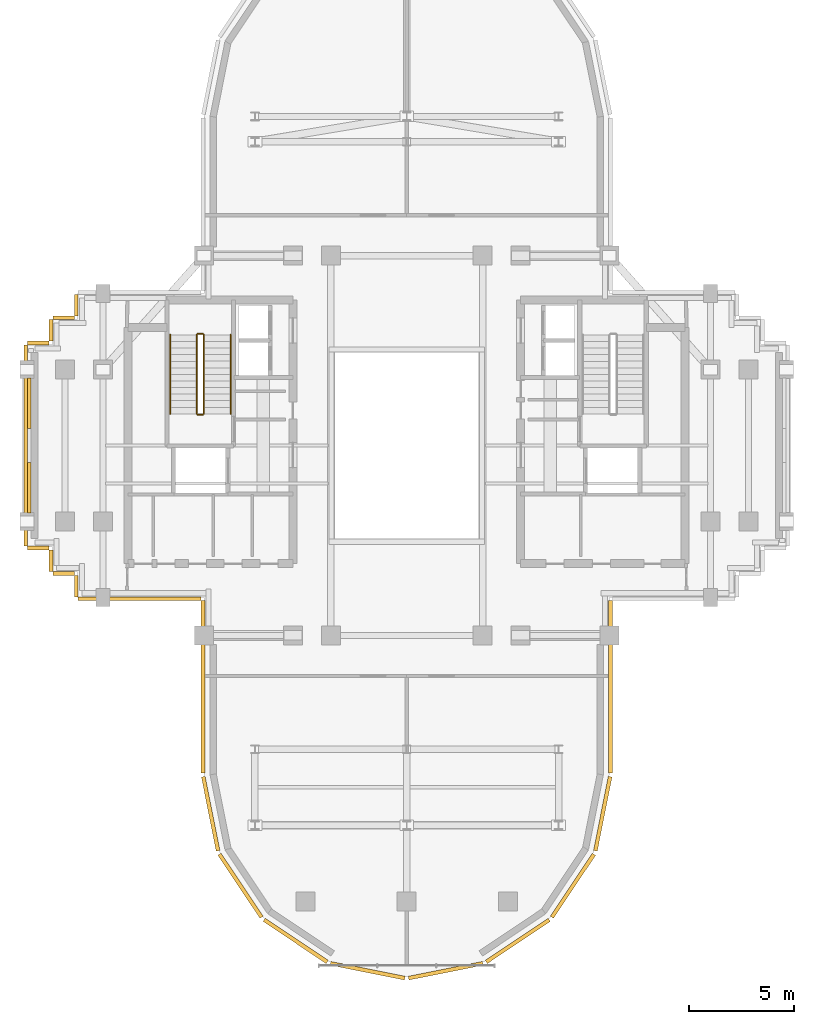
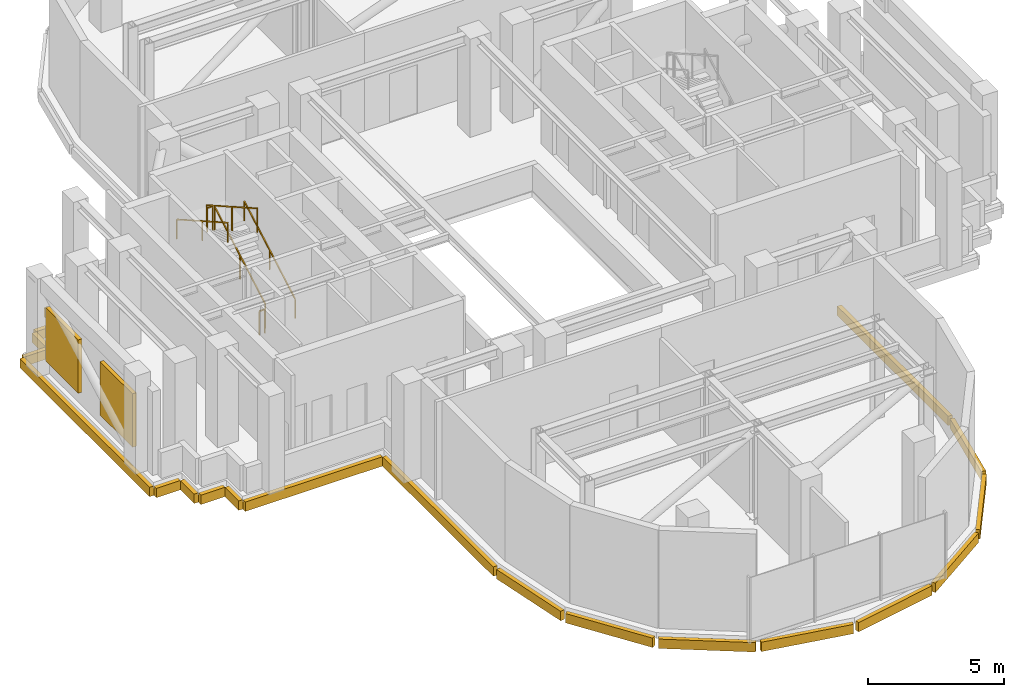
# One storey, part 9 of 11: 20 coverings, 6 railings, 2 shading devices.
"""IFC4 building model written with IfcOpenShell, lengths in metres."""

from ifc_helpers import new_model, si_unit, direction, frame, origin, origin_2d, place, context, subcontext, project, spatial, rectangle, extrude, source, transform, mapped, material, layer, layer_set, type_object, element, save


model = new_model("IFC4")

# Units and contexts
model_context = context("Model", 3, precision=1e-05, world=origin(), true_north=direction((0.0, 1.0)))
body_context = subcontext(model_context, "Body", "Model", "MODEL_VIEW")
ifc_project = project(units=[si_unit("LENGTHUNIT", "METRE"), si_unit("AREAUNIT", "SQUARE_METRE"), si_unit("VOLUMEUNIT", "CUBIC_METRE"), si_unit("PLANEANGLEUNIT", "RADIAN"), si_unit("MASSUNIT", "GRAM", prefix="KILO")], contexts=[model_context])

# Site, building, storey
site_placement = place(None, origin())
site = spatial("IfcSite", under=ifc_project, at=site_placement, CompositionType="ELEMENT")
building_placement = place(site_placement, origin())
building = spatial("IfcBuilding", under=site, at=building_placement, Name="Keilestroom Media Tower", CompositionType="ELEMENT")
storey_placement = place(building_placement, frame((0.0, 0.0, 214.800048828125)))
storey = spatial("IfcBuildingStorey", under=building, at=storey_placement, Name="L59", CompositionType="ELEMENT", Elevation=214.800048828125)

# Railings
ifc_material_1 = material(Name="Brushed Stainless Steel 1.4301", Category="steel")
railing_type_1 = type_object("IfcRailingType", Name="Stair-Pitch-Handrail-920", PredefinedType="HANDRAIL", material=ifc_material_1)
railing_1_placement = place(storey_placement, frame((-8.35009765625, 1.5, 0.1767578125)))
element("IfcRailing", 1, at=railing_1_placement, inside=storey, type_object=railing_type_1, Name="L59 ST-1 stair handrail 1", PredefinedType="HANDRAIL", context=body_context, shape_type="SweptSolid", body=[
    extrude(rectangle(XDim=0.048095703125, YDim=0.048095703125, at=origin_2d()), frame((0.0, 0.0, 0.8759765625), z_axis=(0.0, 0.869847764152, 0.493320248114), x_axis=(-1.0, 0.0, 0.0)), (0.0, 0.0, 1.0), 4.30419921875),
    extrude(rectangle(XDim=0.0419921875, YDim=0.0419921875, at=origin_2d()), origin(), (0.0, 0.0, 1.0), 0.84375),
    extrude(rectangle(XDim=0.0419921875, YDim=0.0419921875, at=origin_2d()), frame((0.0, 1.8720703125, 1.0615234375)), (0.0, 0.0, 1.0), 0.84375),
    extrude(rectangle(XDim=0.0419921875, YDim=0.0419921875, at=origin_2d()), frame((0.0, 3.743896484375, 2.123291015625)), (0.0, 0.0, 1.0), 0.84375),
])
railing_2_placement = place(storey_placement, frame((-11.2099609375, 5.243896484375, 2.476806640625)))
element("IfcRailing", 2, at=railing_2_placement, inside=storey, type_object=railing_type_1, Name="L59 ST-1 stair handrail 2", PredefinedType="HANDRAIL", context=body_context, shape_type="SweptSolid", body=[
    extrude(rectangle(XDim=0.048095703125, YDim=0.048095703125, at=origin_2d()), frame((0.0, 0.0, 0.8759765625), z_axis=(0.0, -0.869872104396, 0.493277327671), x_axis=(1.0, 0.0, 0.0)), (0.0, 0.0, 1.0), 4.303955078125),
    extrude(rectangle(XDim=0.0419921875, YDim=0.0419921875, at=origin_2d()), origin(), (0.0, 0.0, 1.0), 0.84375),
    extrude(rectangle(XDim=0.0419921875, YDim=0.0419921875, at=origin_2d()), frame((0.0, -1.8720703125, 1.0615234375)), (0.0, 0.0, 1.0), 0.84375),
    extrude(rectangle(XDim=0.0419921875, YDim=0.0419921875, at=origin_2d()), frame((0.0, -3.743896484375, 2.123046875)), (0.0, 0.0, 1.0), 0.84375),
])
ifc_material_2 = material(Name="Painted Steel Balustrade", Category="steel")
railing_type_2 = type_object("IfcRailingType", Name="Stair-Well-And-Landing-Guard-1100", PredefinedType="GUARDRAIL", material=ifc_material_2)
railing_3_placement = place(storey_placement, frame((-9.610107421875, 1.5, 0.1767578125)))
element("IfcRailing", 3, at=railing_3_placement, inside=storey, type_object=railing_type_2, Name="L59 ST-1 stair guard 1", PredefinedType="GUARDRAIL", context=body_context, shape_type="SweptSolid", body=[
    extrude(rectangle(XDim=0.048095703125, YDim=0.048095703125, at=origin_2d()), frame((0.0, 0.0, 1.076171875), z_axis=(0.0, 0.869847764152, 0.493320248114), x_axis=(-1.0, 0.0, 0.0)), (0.0, 0.0, 1.0), 4.30419921875),
    extrude(rectangle(XDim=0.0419921875, YDim=0.0419921875, at=origin_2d()), origin(), (0.0, 0.0, 1.0), 1.0439453125),
    extrude(rectangle(XDim=0.0419921875, YDim=0.0419921875, at=origin_2d()), frame((0.0, 1.8720703125, 1.0615234375)), (0.0, 0.0, 1.0), 1.0439453125),
    extrude(rectangle(XDim=0.0419921875, YDim=0.0419921875, at=origin_2d()), frame((0.0, 3.743896484375, 2.123291015625)), (0.0, 0.0, 1.0), 1.0439453125),
])
railing_4_placement = place(storey_placement, frame((-9.659912109375, 5.2939453125, 2.300048828125)))
element("IfcRailing", 4, at=railing_4_placement, inside=storey, type_object=railing_type_2, Name="L59 ST-1 stair guard 2", PredefinedType="GUARDRAIL", context=body_context, shape_type="SweptSolid", body=[
    extrude(rectangle(XDim=0.048095703125, YDim=0.048095703125, at=origin_2d()), frame((0.0, 0.0, 1.076171875), z_axis=(-1.0, 0.0, 0.0), x_axis=(0.0, -1.0, 0.0)), (0.0, 0.0, 1.0), 0.239990234375),
    extrude(rectangle(XDim=0.0419921875, YDim=0.0419921875, at=origin_2d()), origin(), (0.0, 0.0, 1.0), 1.0439453125),
    extrude(rectangle(XDim=0.0419921875, YDim=0.0419921875, at=origin_2d()), frame((-0.239990234375, 0.0, 0.0)), (0.0, 0.0, 1.0), 1.0439453125),
])
railing_5_placement = place(storey_placement, frame((-9.949951171875, 5.243896484375, 2.476806640625)))
element("IfcRailing", 5, at=railing_5_placement, inside=storey, type_object=railing_type_2, Name="L59 ST-1 stair guard 3", PredefinedType="GUARDRAIL", context=body_context, shape_type="SweptSolid", body=[
    extrude(rectangle(XDim=0.048095703125, YDim=0.048095703125, at=origin_2d()), frame((0.0, 0.0, 1.076171875), z_axis=(0.0, -0.869872104396, 0.493277327671), x_axis=(1.0, 0.0, 0.0)), (0.0, 0.0, 1.0), 4.303955078125),
    extrude(rectangle(XDim=0.0419921875, YDim=0.0419921875, at=origin_2d()), origin(), (0.0, 0.0, 1.0), 1.0439453125),
    extrude(rectangle(XDim=0.0419921875, YDim=0.0419921875, at=origin_2d()), frame((0.0, -1.8720703125, 1.0615234375)), (0.0, 0.0, 1.0), 1.0439453125),
    extrude(rectangle(XDim=0.0419921875, YDim=0.0419921875, at=origin_2d()), frame((0.0, -3.743896484375, 2.123046875)), (0.0, 0.0, 1.0), 1.0439453125),
])
railing_6_placement = place(storey_placement, frame((-9.659912109375, 1.449951171875, 0.0)))
element("IfcRailing", 6, at=railing_6_placement, inside=storey, type_object=railing_type_2, Name="L59 ST-1 stair guard 4", PredefinedType="GUARDRAIL", context=body_context, shape_type="SweptSolid", body=[
    extrude(rectangle(XDim=0.048095703125, YDim=0.048095703125, at=origin_2d()), frame((0.0, 0.0, 1.076171875), z_axis=(-1.0, 0.0, 0.0), x_axis=(0.0, -1.0, 0.0)), (0.0, 0.0, 1.0), 0.239990234375),
    extrude(rectangle(XDim=0.0419921875, YDim=0.0419921875, at=origin_2d()), origin(), (0.0, 0.0, 1.0), 1.0439453125),
    extrude(rectangle(XDim=0.0419921875, YDim=0.0419921875, at=origin_2d()), frame((-0.239990234375, 0.0, 0.0)), (0.0, 0.0, 1.0), 1.0439453125),
])

# Shading devices
ifc_material_3 = material(Name="Bronze Anodised Aluminium", Category="aluminium")
ifc_layer_1 = layer(ifc_material_3, 0.159912109375)
ifc_layer_set_1 = layer_set([ifc_layer_1], Name="Bronze Anodised Aluminium")
shading_device_type = type_object("IfcShadingDeviceType", Name="Facade-Plant-Intake-Louvre-SHD-2", PredefinedType="USERDEFINED", material=ifc_layer_set_1)
shared_shape_1 = source(origin(), body_context, "Body", "SweptSolid", [
    extrude(rectangle(XDim=0.159912109375, YDim=2.39990234375, at=origin_2d()), origin(), (0.0, 0.0, 1.0), 2.39990234375),
])
for number, where, z_axis, x_axis, name in (
    (7, (-17.889892578125, -2.0, 0.60009765625), (0.0, 0.0, 1.0), (1.0, 0.0, 0.0), "L59 Plant Intake Louvre W 13"),
    (8, (-17.889892578125, 2.0, 0.60009765625), (0.0, 0.0, 1.0), (1.0, 0.0, 0.0), "L59 Plant Intake Louvre W 14"),
):
    element("IfcShadingDevice", number, at=place(storey_placement, frame(where, z_axis=z_axis, x_axis=x_axis)), inside=storey, type_object=shading_device_type, Name=name, ObjectType="LOUVER", PredefinedType="USERDEFINED", context=body_context, shape_type="MappedRepresentation", body=[
        mapped(shared_shape_1, transform((0.0, 0.0, 0.0), x_axis=(1.0, 0.0, 0.0), y_axis=(0.0, 1.0, 0.0), z_axis=(0.0, 0.0, 1.0), scale=1.0)),
    ])

# Coverings
ifc_material_4 = material(Name="Precast concrete C40/50", Category="concrete")
ifc_layer_2 = layer(ifc_material_4, 0.1201171875)
ifc_layer_set_2 = layer_set([ifc_layer_2], Name="Precast concrete C40/50")
covering_type = type_object("IfcCoveringType", Name="Exterior-Precast-Spandrel-Cladding-Panel-120", PredefinedType="CLADDING", material=ifc_layer_set_2)
shared_shape_2 = source(origin(), body_context, "Body", "SweptSolid", [
    extrude(rectangle(XDim=1.02001953125, YDim=0.179931640625, at=origin_2d()), origin(), (0.0, 0.0, 1.0), 0.419921875),
])
for number, where, z_axis, x_axis, name in (
    (9, (-15.659912109375, -6.659912109375, -0.60009765625), (0.0, 0.0, 1.0), (0.0, 1.0, 0.0), "L59 Precast Slab-Edge Fascia Cornice 17"),
    (10, (-16.260009765625, -6.06005859375, -0.60009765625), (0.0, 0.0, 1.0), (-1.0, 0.0, 0.0), "L59 Precast Slab-Edge Fascia Cornice 18"),
    (11, (-16.860107421875, -5.4599609375, -0.60009765625), (0.0, 0.0, 1.0), (0.0, 1.0, 0.0), "L59 Precast Slab-Edge Fascia Cornice 19"),
    (12, (-17.4599609375, -4.860107421875, -0.60009765625), (0.0, 0.0, 1.0), (-1.0, 0.0, 0.0), "L59 Precast Slab-Edge Fascia Cornice 20"),
    (13, (-17.4599609375, 4.860107421875, -0.60009765625), (0.0, 0.0, 1.0), (1.0, 0.0, 0.0), "L59 Precast Slab-Edge Fascia Cornice 22"),
    (14, (-16.860107421875, 5.4599609375, -0.60009765625), (0.0, 0.0, 1.0), (0.0, 1.0, 0.0), "L59 Precast Slab-Edge Fascia Cornice 23"),
    (15, (-16.260009765625, 6.06005859375, -0.60009765625), (0.0, 0.0, 1.0), (1.0, 0.0, 0.0), "L59 Precast Slab-Edge Fascia Cornice 24"),
    (16, (-15.659912109375, 6.659912109375, -0.60009765625), (0.0, 0.0, 1.0), (0.0, 1.0, 0.0), "L59 Precast Slab-Edge Fascia Cornice 25"),
):
    element("IfcCovering", number, at=place(storey_placement, frame(where, z_axis=z_axis, x_axis=x_axis)), inside=storey, type_object=covering_type, Name=name, PredefinedType="CLADDING", context=body_context, shape_type="MappedRepresentation", body=[
        mapped(shared_shape_2, transform((0.0, 0.0, 0.0), x_axis=(1.0, 0.0, 0.0), y_axis=(0.0, 1.0, 0.0), z_axis=(0.0, 0.0, 1.0), scale=1.0)),
    ])
shared_shape_3 = source(origin(), body_context, "Body", "SweptSolid", [
    extrude(rectangle(XDim=8.166015625, YDim=0.179931640625, at=origin_2d()), origin(), (0.0, 0.0, 1.0), 0.419921875),
])
for number, where, z_axis, x_axis, name in (
    (17, (9.659912109375, -11.43310546875, -0.60009765625), (0.0, 0.0, 1.0), (0.0, -1.0, 0.0), "L59 Precast Slab-Edge Fascia Cornice 06"),
    (18, (-9.659912109375, -11.43310546875, -0.60009765625), (0.0, 0.0, 1.0), (0.0, 1.0, 0.0), "L59 Precast Slab-Edge Fascia Cornice 15"),
):
    element("IfcCovering", number, at=place(storey_placement, frame(where, z_axis=z_axis, x_axis=x_axis)), inside=storey, type_object=covering_type, Name=name, PredefinedType="CLADDING", context=body_context, shape_type="MappedRepresentation", body=[
        mapped(shared_shape_3, transform((0.0, 0.0, 0.0), x_axis=(1.0, 0.0, 0.0), y_axis=(0.0, 1.0, 0.0), z_axis=(0.0, 0.0, 1.0), scale=1.0)),
    ])
shared_shape_4 = source(origin(), body_context, "Body", "SweptSolid", [
    extrude(rectangle(XDim=3.58349609375, YDim=0.179931640625, at=origin_2d()), origin(), (0.0, 0.0, 1.0), 0.419921875),
])
for number, where, z_axis, x_axis, name in (
    (19, (9.29296875, -17.45166015625, -0.60009765625), (0.0, 0.0, 1.0), (-0.195098880975, -0.980783577882, 0.0), "L59 Precast Slab-Edge Fascia Cornice 07"),
    (20, (-9.29296875, -17.45166015625, -0.60009765625), (0.0, 0.0, 1.0), (-0.195098880975, 0.980783577882, 0.0), "L59 Precast Slab-Edge Fascia Cornice 14"),
):
    element("IfcCovering", number, at=place(storey_placement, frame(where, z_axis=z_axis, x_axis=x_axis)), inside=storey, type_object=covering_type, Name=name, PredefinedType="CLADDING", context=body_context, shape_type="MappedRepresentation", body=[
        mapped(shared_shape_4, transform((0.0, 0.0, 0.0), x_axis=(1.0, 0.0, 0.0), y_axis=(0.0, 1.0, 0.0), z_axis=(0.0, 0.0, 1.0), scale=1.0)),
    ])
shared_shape_5 = source(origin(), body_context, "Body", "SweptSolid", [
    extrude(rectangle(XDim=3.589599609375, YDim=0.179931640625, at=origin_2d()), origin(), (0.0, 0.0, 1.0), 0.419921875),
])
for number, where, z_axis, x_axis, name in (
    (21, (7.878662109375, -20.8642578125, -0.60009765625), (0.0, 0.0, 1.0), (-0.555574586577, -0.831466703332, 0.0), "L59 Precast Slab-Edge Fascia Cornice 08"),
    (22, (5.264404296875, -23.478515625, -0.60009765625), (0.0, 0.0, 1.0), (-0.831466703332, -0.555574586577, 0.0), "L59 Precast Slab-Edge Fascia Cornice 09"),
    (23, (1.8486328125, -24.893310546875, -0.60009765625), (0.0, 0.0, 1.0), (-0.980783577882, -0.195098880975, 0.0), "L59 Precast Slab-Edge Fascia Cornice 10"),
    (24, (-1.8486328125, -24.893310546875, -0.60009765625), (0.0, 0.0, 1.0), (-0.980783577882, 0.195098880975, 0.0), "L59 Precast Slab-Edge Fascia Cornice 11"),
    (25, (-5.264404296875, -23.478515625, -0.60009765625), (0.0, 0.0, 1.0), (-0.831466703332, 0.555574586577, 0.0), "L59 Precast Slab-Edge Fascia Cornice 12"),
    (26, (-7.878662109375, -20.8642578125, -0.60009765625), (0.0, 0.0, 1.0), (-0.555574586577, 0.831466703332, 0.0), "L59 Precast Slab-Edge Fascia Cornice 13"),
):
    element("IfcCovering", number, at=place(storey_placement, frame(where, z_axis=z_axis, x_axis=x_axis)), inside=storey, type_object=covering_type, Name=name, PredefinedType="CLADDING", context=body_context, shape_type="MappedRepresentation", body=[
        mapped(shared_shape_5, transform((0.0, 0.0, 0.0), x_axis=(1.0, 0.0, 0.0), y_axis=(0.0, 1.0, 0.0), z_axis=(0.0, 0.0, 1.0), scale=1.0)),
    ])
shared_shape_6 = source(origin(), body_context, "Body", "SweptSolid", [
    extrude(rectangle(XDim=9.5400390625, YDim=0.179931640625, at=origin_2d()), origin(), (0.0, 0.0, 1.0), 0.419921875),
])
covering_1_placement = place(storey_placement, frame((-18.06005859375, 0.0, -0.60009765625), z_axis=(0.0, 0.0, 1.0), x_axis=(0.0, 1.0, 0.0)))
element("IfcCovering", 27, at=covering_1_placement, inside=storey, type_object=covering_type, Name="L59 Precast Slab-Edge Fascia Cornice 21", PredefinedType="CLADDING", context=body_context, shape_type="MappedRepresentation", body=[
    mapped(shared_shape_6, transform((0.0, 0.0, 0.0), x_axis=(1.0, 0.0, 0.0), y_axis=(0.0, 1.0, 0.0), z_axis=(0.0, 0.0, 1.0), scale=1.0)),
])
shared_shape_7 = source(origin(), body_context, "Body", "SweptSolid", [
    extrude(rectangle(XDim=5.820068359375, YDim=0.179931640625, at=origin_2d()), origin(), (0.0, 0.0, 1.0), 0.419921875),
])
covering_2_placement = place(storey_placement, frame((-12.659912109375, -7.260009765625, -0.60009765625), z_axis=(0.0, 0.0, 1.0), x_axis=(-1.0, 0.0, 0.0)))
element("IfcCovering", 28, at=covering_2_placement, inside=storey, type_object=covering_type, Name="L59 Precast Slab-Edge Fascia Cornice 16", PredefinedType="CLADDING", context=body_context, shape_type="MappedRepresentation", body=[
    mapped(shared_shape_7, transform((0.0, 0.0, 0.0), x_axis=(1.0, 0.0, 0.0), y_axis=(0.0, 1.0, 0.0), z_axis=(0.0, 0.0, 1.0), scale=1.0)),
])

save(model, "model.ifc")
